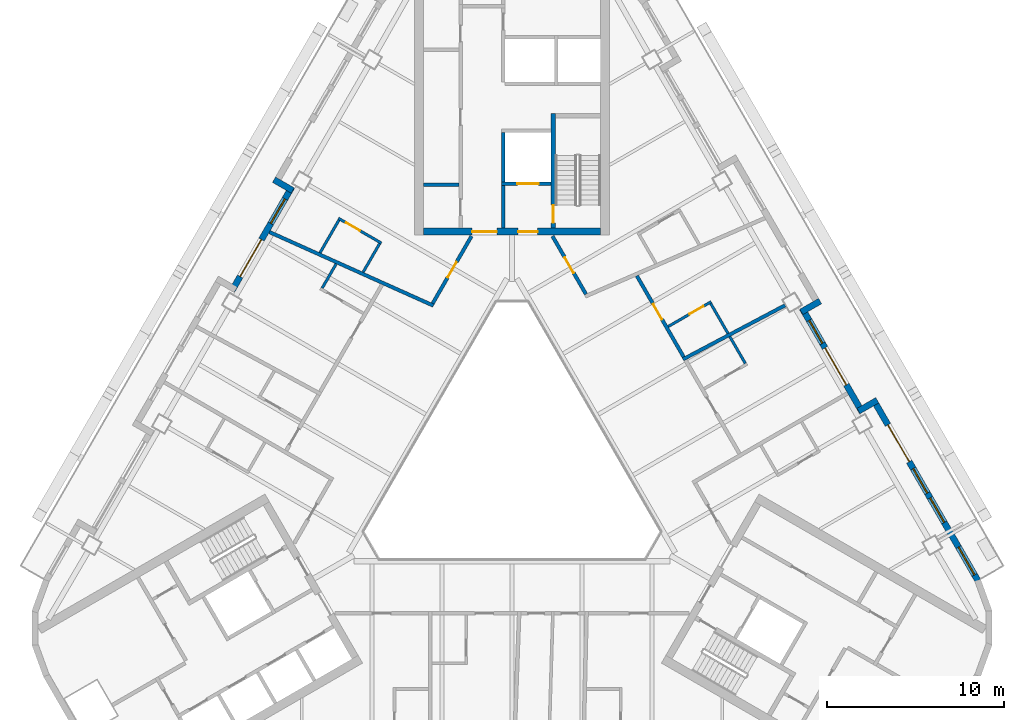
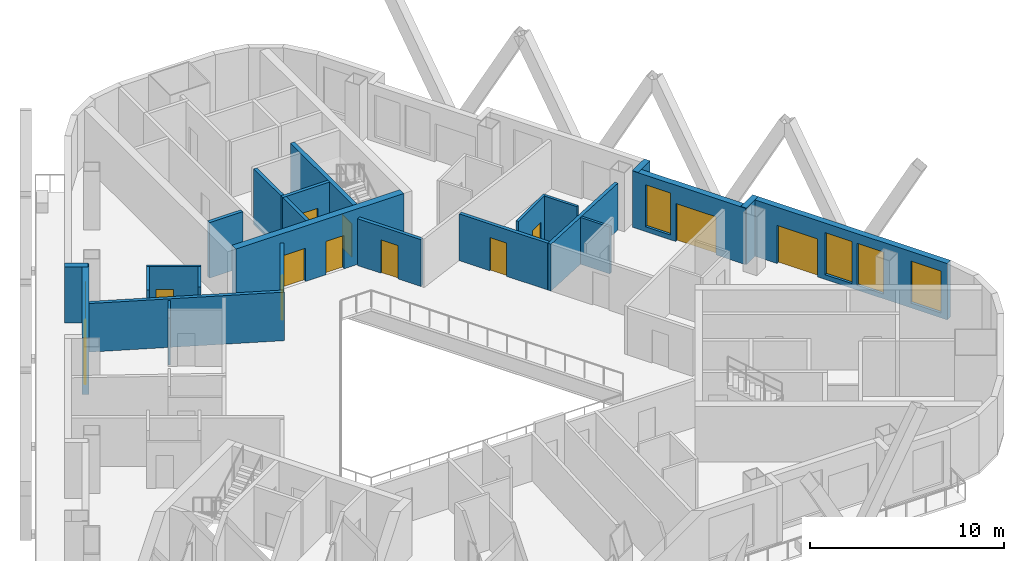
# One storey, part 6 of 14: 24 walls, 12 doors, 5 windows, 17 openings.
"""IFC4 building model written with IfcOpenShell, lengths in metres."""

from ifc_helpers import new_model, si_unit, direction, frame, frame_2d, origin, place, context, subcontext, project, spatial, rectangle, extrude, material, layer, layer_set, type_object, element, fill, save


model = new_model("IFC4")

# Units and contexts
model_context = context("Model", 3, precision=1e-05, world=origin(), true_north=direction((0.0, 1.0)))
body_context = subcontext(model_context, "Body", "Model", "MODEL_VIEW")
ifc_project = project(units=[si_unit("LENGTHUNIT", "METRE"), si_unit("AREAUNIT", "SQUARE_METRE"), si_unit("VOLUMEUNIT", "CUBIC_METRE"), si_unit("PLANEANGLEUNIT", "RADIAN"), si_unit("MASSUNIT", "GRAM", prefix="KILO")], contexts=[model_context])

# Site, building, storey
site_placement = place(None, origin())
site = spatial("IfcSite", under=ifc_project, at=site_placement, CompositionType="ELEMENT")
building_placement = place(site_placement, origin())
building = spatial("IfcBuilding", under=site, at=building_placement, Name="Apuvela Tower Hotel", CompositionType="ELEMENT")
storey_placement = place(building_placement, frame((0.0, 0.0, 154.0)))
storey = spatial("IfcBuildingStorey", under=building, at=storey_placement, Name="L36", CompositionType="ELEMENT", Elevation=154.0)

# Wall, openings, doors
ifc_material_1 = material(Name="Concrete C50/60", Category="concrete")
ifc_layer_1 = layer(ifc_material_1, 0.39990234375)
ifc_layer_set_1 = layer_set([ifc_layer_1], Name="COR-WALL-CORE-400")
wall_type_1 = type_object("IfcWallType", Name="COR-WALL-CORE-400", PredefinedType="SHEAR", material=ifc_layer_set_1)
wall_1_placement = place(storey_placement, frame((5.0, 13.10009765625, 0.0), z_axis=(0.0, 0.0, 1.0), x_axis=(-1.0, 0.0, 0.0)))
wall_1 = element("IfcWall", 1, at=wall_1_placement, inside=storey, type_object=wall_type_1, Name="Core wall N", PredefinedType="SHEAR", context=body_context, shape_type="SweptSolid", body=[
    extrude(rectangle(XDim=10.0, YDim=0.39990234375, at=frame_2d((5.0, 0.0))), origin(), (0.0, 0.0, 1.0), 3.5),
])
opening_1_placement = place(wall_1_placement, frame((3.550048828125, 0.0, 0.0)))
opening_1 = element("IfcOpeningElement", 2, at=opening_1_placement, cuts=wall_1, Name="Opening N-FD", PredefinedType="OPENING", context=body_context, shape_type="SweptSolid", body=[
    extrude(rectangle(XDim=1.10009765625, YDim=2.10009765625, at=frame_2d((0.550048828125, 1.050048828125))), frame((0.0, 0.2099609375, 0.0), z_axis=(0.0, -1.0, 0.0), x_axis=(1.0, 0.0, 0.0)), (0.0, 0.0, 1.0), 0.419921875),
])
opening_2_placement = place(wall_1_placement, frame((5.85009765625, 0.0, 0.0)))
opening_2 = element("IfcOpeningElement", 3, at=opening_2_placement, cuts=wall_1, Name="Opening N-GD", PredefinedType="OPENING", context=body_context, shape_type="SweptSolid", body=[
    extrude(rectangle(XDim=1.39990234375, YDim=2.10009765625, at=frame_2d((0.699951171875, 1.050048828125))), frame((0.0, 0.2099609375, 0.0), z_axis=(0.0, -1.0, 0.0), x_axis=(1.0, 0.0, 0.0)), (0.0, 0.0, 1.0), 0.419921875),
])
ifc_material_2 = material(Name="Steel fire door, powder coated", Category="steel")
door_type_1 = type_object("IfcDoorType", Name="COR-FD-1100", OperationType="NOTDEFINED", PredefinedType="DOOR", material=ifc_material_2)
door_1_placement = place(opening_1_placement, frame((1.10009765625, 0.0, 0.0), z_axis=(0.0, 0.0, 1.0), x_axis=(-1.0, 0.0, 0.0)))
door_1 = element("IfcDoor", 4, at=door_1_placement, inside=storey, type_object=door_type_1, Name="Firefighting lobby door N-FD", OperationType="SINGLE_SWING_LEFT", OverallHeight=2.10009765625, OverallWidth=1.10009765625, PredefinedType="DOOR", context=body_context, shape_type="SweptSolid", body=[
    extrude(rectangle(XDim=1.10009765625, YDim=2.10009765625, at=frame_2d((0.550048828125, 1.050048828125))), frame((0.0, 0.02490234375, 0.0), z_axis=(0.0, -1.0, 0.0), x_axis=(1.0, 0.0, 0.0)), (0.0, 0.0, 1.0), 0.050048828125),
])
fill(opening_1, door_1)
ifc_material_3 = material(Name="Glazed steel fire door", Category="steel")
door_type_2 = type_object("IfcDoorType", Name="COR-GD-1400", OperationType="DOUBLE_DOOR_SINGLE_SWING", PredefinedType="DOOR", material=ifc_material_3)
door_2_placement = place(opening_2_placement, frame((1.39990234375, 0.0, 0.0), z_axis=(0.0, 0.0, 1.0), x_axis=(-1.0, 0.0, 0.0)))
door_2 = element("IfcDoor", 5, at=door_2_placement, inside=storey, type_object=door_type_2, Name="Lift lobby door N-GD", OperationType="DOUBLE_DOOR_SINGLE_SWING", OverallHeight=2.10009765625, OverallWidth=1.39990234375, PredefinedType="DOOR", context=body_context, shape_type="SweptSolid", body=[
    extrude(rectangle(XDim=1.39990234375, YDim=2.10009765625, at=frame_2d((0.699951171875, 1.050048828125))), frame((0.0, 0.02490234375, 0.0), z_axis=(0.0, -1.0, 0.0), x_axis=(1.0, 0.0, 0.0)), (0.0, 0.0, 1.0), 0.050048828125),
])
fill(opening_2, door_2)

# Wall, opening, door
ifc_layer_2 = layer(ifc_material_1, 0.199951171875)
ifc_layer_set_2 = layer_set([ifc_layer_2], Name="COR-WALL-SHAFT-200")
wall_type_2 = type_object("IfcWallType", Name="COR-WALL-SHAFT-200", PredefinedType="SHEAR", material=ifc_layer_set_2)
wall_2_placement = place(storey_placement, frame((2.199951171875, 15.800048828125, 0.0), z_axis=(0.0, 0.0, 1.0), x_axis=(-1.0, 0.0, 0.0)))
wall_2 = element("IfcWall", 6, at=wall_2_placement, inside=storey, type_object=wall_type_2, Name="Shaft wall N", PredefinedType="SHEAR", context=body_context, shape_type="SweptSolid", body=[
    extrude(rectangle(XDim=2.800048828125, YDim=0.199951171875, at=frame_2d((1.39990234375, 0.0))), origin(), (0.0, 0.0, 1.0), 3.5),
])
opening_3_placement = place(wall_2_placement, frame((0.699951171875, 0.0, 0.0)))
opening_3 = element("IfcOpeningElement", 7, at=opening_3_placement, cuts=wall_2, Name="Opening N-LD-FS1", PredefinedType="OPENING", context=body_context, shape_type="SweptSolid", body=[
    extrude(rectangle(XDim=1.199951171875, YDim=2.10009765625, at=frame_2d((0.60009765625, 1.050048828125))), frame((0.0, 0.10986328125, 0.0), z_axis=(0.0, -1.0, 0.0), x_axis=(1.0, 0.0, 0.0)), (0.0, 0.0, 1.0), 0.219970703125),
])
ifc_material_4 = material(Name="Stainless steel lift landing door", Category="steel")
door_type_3 = type_object("IfcDoorType", Name="COR-LD-1200", OperationType="DOUBLE_DOOR_SLIDING", PredefinedType="DOOR", material=ifc_material_4)
door_3_placement = place(opening_3_placement, origin())
door_3 = element("IfcDoor", 8, at=door_3_placement, inside=storey, type_object=door_type_3, Name="Lift landing door N-LD-FS1", OperationType="DOUBLE_DOOR_SLIDING", OverallHeight=2.10009765625, OverallWidth=1.199951171875, PredefinedType="DOOR", context=body_context, shape_type="SweptSolid", body=[
    extrude(rectangle(XDim=1.199951171875, YDim=2.10009765625, at=frame_2d((0.60009765625, 1.050048828125))), frame((0.0, 0.02490234375, 0.0), z_axis=(0.0, -1.0, 0.0), x_axis=(1.0, 0.0, 0.0)), (0.0, 0.0, 1.0), 0.050048828125),
])
fill(opening_3, door_3)

# Walls
wall_3_placement = place(storey_placement, frame((-0.5, 15.89990234375, 0.0), z_axis=(0.0, 0.0, 1.0), x_axis=(0.0, 1.0, 0.0)))
element("IfcWall", 9, at=wall_3_placement, inside=storey, type_object=wall_type_2, Name="Shaft wall N", PredefinedType="SHEAR", context=body_context, shape_type="SweptSolid", body=[
    extrude(rectangle(XDim=2.800048828125, YDim=0.199951171875, at=frame_2d((1.39990234375, 0.0))), origin(), (0.0, 0.0, 1.0), 3.5),
])
wall_4_placement = place(storey_placement, frame((-0.5, 13.300048828125, 0.0), z_axis=(0.0, 0.0, 1.0), x_axis=(0.0, 1.0, 0.0)))
element("IfcWall", 10, at=wall_4_placement, inside=storey, type_object=wall_type_2, Name="Shaft wall N", PredefinedType="SHEAR", context=body_context, shape_type="SweptSolid", body=[
    extrude(rectangle(XDim=2.39990234375, YDim=0.199951171875, at=frame_2d((1.199951171875, 0.0))), origin(), (0.0, 0.0, 1.0), 3.5),
])
wall_5_placement = place(storey_placement, frame((-3.0, 15.739990234375, 0.0), z_axis=(0.0, 0.0, 1.0), x_axis=(-1.0, 0.0, 0.0)))
element("IfcWall", 11, at=wall_5_placement, inside=storey, type_object=wall_type_2, Name="Shaft wall N", PredefinedType="SHEAR", context=body_context, shape_type="SweptSolid", body=[
    extrude(rectangle(XDim=2.0, YDim=0.199951171875, at=frame_2d((1.0, 0.0))), origin(), (0.0, 0.0, 1.0), 3.5),
])

# Wall, opening, door
ifc_layer_3 = layer(ifc_material_1, 0.25)
ifc_layer_set_3 = layer_set([ifc_layer_3], Name="COR-WALL-STAIR-250")
wall_type_3 = type_object("IfcWallType", Name="COR-WALL-STAIR-250", PredefinedType="SHEAR", material=ifc_layer_set_3)
wall_6_placement = place(storey_placement, frame((2.324951171875, 13.300048828125, 0.0), z_axis=(0.0, 0.0, 1.0), x_axis=(0.0, 1.0, 0.0)))
wall_6 = element("IfcWall", 12, at=wall_6_placement, inside=storey, type_object=wall_type_3, Name="Stair wall N", PredefinedType="SHEAR", context=body_context, shape_type="SweptSolid", body=[
    extrude(rectangle(XDim=6.449951171875, YDim=0.25, at=frame_2d((3.22509765625, 0.0))), origin(), (0.0, 0.0, 1.0), 3.5),
])
opening_4_placement = place(wall_6_placement, frame((0.300048828125, 0.0, 0.0)))
opening_4 = element("IfcOpeningElement", 13, at=opening_4_placement, cuts=wall_6, Name="Opening N-SD", PredefinedType="OPENING", context=body_context, shape_type="SweptSolid", body=[
    extrude(rectangle(XDim=1.0, YDim=2.10009765625, at=frame_2d((0.5, 1.050048828125))), frame((0.0, 0.135009765625, 0.0), z_axis=(0.0, -1.0, 0.0), x_axis=(1.0, 0.0, 0.0)), (0.0, 0.0, 1.0), 0.27001953125),
])
door_type_4 = type_object("IfcDoorType", Name="COR-SD-1000", OperationType="NOTDEFINED", PredefinedType="DOOR", material=ifc_material_2)
door_4_placement = place(opening_4_placement, frame((1.0, 0.0, 0.0), z_axis=(0.0, 0.0, 1.0), x_axis=(-1.0, 0.0, 0.0)))
door_4 = element("IfcDoor", 14, at=door_4_placement, inside=storey, type_object=door_type_4, Name="Stair door N-SD", OperationType="SINGLE_SWING_LEFT", OverallHeight=2.10009765625, OverallWidth=1.0, PredefinedType="DOOR", context=body_context, shape_type="SweptSolid", body=[
    extrude(rectangle(XDim=1.0, YDim=2.10009765625, at=frame_2d((0.5, 1.050048828125))), frame((0.0, 0.02490234375, 0.0), z_axis=(0.0, -1.0, 0.0), x_axis=(1.0, 0.0, 0.0)), (0.0, 0.0, 1.0), 0.050048828125),
])
fill(opening_4, door_4)

# Wall
ifc_material_5 = material(Name="Concrete C40/50, dark pigmented precast panel", Category="concrete")
ifc_layer_4 = layer(ifc_material_5, 0.35009765625)
ifc_layer_set_4 = layer_set([ifc_layer_4], Name="ENV-WALL-350")
wall_type_4 = type_object("IfcWallType", Name="ENV-WALL-350", PredefinedType="SOLIDWALL", material=ifc_layer_set_4)
wall_7_placement = place(storey_placement, frame((-13.41259765625, 16.02880859375, 0.0), z_axis=(0.0, 0.0, 1.0), x_axis=(0.866005645448, -0.500034220881, 0.0)))
element("IfcWall", 15, at=wall_7_placement, inside=storey, type_object=wall_type_4, Name="External wall L36-02", PredefinedType="SOLIDWALL", context=body_context, shape_type="SweptSolid", body=[
    extrude(rectangle(XDim=1.22021484375, YDim=0.35009765625, at=frame_2d((0.610107421875, 0.0))), origin(), (0.0, 0.0, 1.0), 3.550048828125),
])

# Wall, openings, door, window
wall_8_placement = place(storey_placement, frame((-12.408935546875, 15.616943359375, 0.0), z_axis=(0.0, 0.0, 1.0), x_axis=(-0.500003597184, -0.866023326939, 0.0)))
wall_8 = element("IfcWall", 16, at=wall_8_placement, inside=storey, type_object=wall_type_4, Name="External wall L36-03", PredefinedType="SOLIDWALL", context=body_context, shape_type="SweptSolid", body=[
    extrude(rectangle(XDim=6.740234375, YDim=0.35009765625, at=frame_2d((3.3701171875, 0.0))), origin(), (0.0, 0.0, 1.0), 3.550048828125),
])
opening_5_placement = place(wall_8_placement, frame((0.77001953125, 0.0, 0.300048828125)))
opening_5 = element("IfcOpeningElement", 17, at=opening_5_placement, cuts=wall_8, Name="Opening WN16", PredefinedType="OPENING", context=body_context, shape_type="SweptSolid", body=[
    extrude(rectangle(XDim=1.60009765625, YDim=2.64990234375, at=frame_2d((0.800048828125, 1.324951171875))), frame((0.0, 0.18505859375, 0.0), z_axis=(0.0, -1.0, 0.0), x_axis=(1.0, 0.0, 0.0)), (0.0, 0.0, 1.0), 0.3701171875),
])
opening_6_placement = place(wall_8_placement, frame((3.423828125, 0.0, 0.0)))
opening_6 = element("IfcOpeningElement", 18, at=opening_6_placement, cuts=wall_8, Name="Opening BD24", PredefinedType="OPENING", context=body_context, shape_type="SweptSolid", body=[
    extrude(rectangle(XDim=2.39990234375, YDim=2.39990234375, at=frame_2d((1.199951171875, 1.199951171875))), frame((0.0, 0.18505859375, 0.0), z_axis=(0.0, -1.0, 0.0), x_axis=(1.0, 0.0, 0.0)), (0.0, 0.0, 1.0), 0.3701171875),
])
ifc_material_6 = material(Name="Aluminium 6063-T6, dark bronze anodised frame with dark tinted laminated glass", Category="aluminium")
door_type_5 = type_object("IfcDoorType", Name="ENV-DOOR-BALCONY-2400x2400", OperationType="SLIDING_TO_LEFT", PredefinedType="DOOR", material=ifc_material_6)
door_5_placement = place(opening_6_placement, frame((2.39990234375, 0.0, 0.0), z_axis=(0.0, 0.0, 1.0), x_axis=(-1.0, 0.0, 0.0)))
door_5 = element("IfcDoor", 19, at=door_5_placement, inside=storey, type_object=door_type_5, Name="Balcony door BD24", OperationType="SLIDING_TO_LEFT", OverallHeight=2.39990234375, OverallWidth=2.39990234375, PredefinedType="DOOR", context=body_context, shape_type="SweptSolid", body=[
    extrude(rectangle(XDim=2.39990234375, YDim=2.39990234375, at=frame_2d((1.199951171875, 1.199951171875))), frame((0.0, 0.02490234375, 0.0), z_axis=(0.0, -1.0, 0.0), x_axis=(1.0, 0.0, 0.0)), (0.0, 0.0, 1.0), 0.050048828125),
])
fill(opening_6, door_5)
ifc_material_7 = material(Name="Glass, dark tinted laminated insulated glazing unit", Category="glass")
window_type_1 = type_object("IfcWindowType", Name="ENV-WIN-1600x2650", PartitioningType="SINGLE_PANEL", PredefinedType="WINDOW", material=ifc_material_7)
window_1_placement = place(opening_5_placement, origin())
window_1 = element("IfcWindow", 20, at=window_1_placement, inside=storey, type_object=window_type_1, Name="Window WN16", OverallHeight=2.64990234375, OverallWidth=1.60009765625, PartitioningType="SINGLE_PANEL", PredefinedType="WINDOW", context=body_context, shape_type="SweptSolid", body=[
    extrude(rectangle(XDim=1.60009765625, YDim=2.64990234375, at=frame_2d((0.800048828125, 1.324951171875))), frame((0.0, 0.030029296875, 0.0), z_axis=(0.0, -1.0, 0.0), x_axis=(1.0, 0.0, 0.0)), (0.0, 0.0, 1.0), 0.06005859375),
])
fill(opening_5, window_1)

# Wall, openings, door, windows
wall_9_placement = place(storey_placement, frame((26.256591796875, -6.5673828125, 0.0), z_axis=(0.0, 0.0, 1.0), x_axis=(-0.500023526245, 0.866011820475, 0.0)))
wall_9 = element("IfcWall", 21, at=wall_9_placement, inside=storey, type_object=wall_type_4, Name="External wall L36-33", PredefinedType="SOLIDWALL", context=body_context, shape_type="SweptSolid", body=[
    extrude(rectangle(XDim=11.81591796875, YDim=0.35009765625, at=frame_2d((5.907958984375, 0.0))), origin(), (0.0, 0.0, 1.0), 3.550048828125),
])
opening_7_placement = place(wall_9_placement, frame((0.380126953125, 0.0, 0.300048828125)))
opening_7 = element("IfcOpeningElement", 22, at=opening_7_placement, cuts=wall_9, Name="Opening WN18", PredefinedType="OPENING", context=body_context, shape_type="SweptSolid", body=[
    extrude(rectangle(XDim=1.800048828125, YDim=2.64990234375, at=frame_2d((0.89990234375, 1.324951171875))), frame((0.0, 0.18505859375, 0.0), z_axis=(0.0, -1.0, 0.0), x_axis=(1.0, 0.0, 0.0)), (0.0, 0.0, 1.0), 0.3701171875),
])
opening_8_placement = place(wall_9_placement, frame((7.7412109375, 0.0, 0.0)))
opening_8 = element("IfcOpeningElement", 23, at=opening_8_placement, cuts=wall_9, Name="Opening BD24", PredefinedType="OPENING", context=body_context, shape_type="SweptSolid", body=[
    extrude(rectangle(XDim=2.39990234375, YDim=2.39990234375, at=frame_2d((1.199951171875, 1.199951171875))), frame((0.0, 0.18505859375, 0.0), z_axis=(0.0, -1.0, 0.0), x_axis=(1.0, 0.0, 0.0)), (0.0, 0.0, 1.0), 0.3701171875),
])
opening_9_placement = place(wall_9_placement, frame((3.791015625, 0.0, 0.300048828125)))
opening_9 = element("IfcOpeningElement", 24, at=opening_9_placement, cuts=wall_9, Name="Opening WN16", PredefinedType="OPENING", context=body_context, shape_type="SweptSolid", body=[
    extrude(rectangle(XDim=1.60009765625, YDim=2.64990234375, at=frame_2d((0.800048828125, 1.324951171875))), frame((0.0, 0.18505859375, 0.0), z_axis=(0.0, -1.0, 0.0), x_axis=(1.0, 0.0, 0.0)), (0.0, 0.0, 1.0), 0.3701171875),
])
opening_10_placement = place(wall_9_placement, frame((5.69091796875, 0.0, 0.300048828125)))
opening_10 = element("IfcOpeningElement", 25, at=opening_10_placement, cuts=wall_9, Name="Opening WN16", PredefinedType="OPENING", context=body_context, shape_type="SweptSolid", body=[
    extrude(rectangle(XDim=1.60009765625, YDim=2.64990234375, at=frame_2d((0.800048828125, 1.324951171875))), frame((0.0, 0.18505859375, 0.0), z_axis=(0.0, -1.0, 0.0), x_axis=(1.0, 0.0, 0.0)), (0.0, 0.0, 1.0), 0.3701171875),
])
door_6_placement = place(opening_8_placement, frame((2.39990234375, 0.0, 0.0), z_axis=(0.0, 0.0, 1.0), x_axis=(-1.0, 0.0, 0.0)))
door_6 = element("IfcDoor", 26, at=door_6_placement, inside=storey, type_object=door_type_5, Name="Balcony door BD24", OperationType="SLIDING_TO_LEFT", OverallHeight=2.39990234375, OverallWidth=2.39990234375, PredefinedType="DOOR", context=body_context, shape_type="SweptSolid", body=[
    extrude(rectangle(XDim=2.39990234375, YDim=2.39990234375, at=frame_2d((1.199951171875, 1.199951171875))), frame((0.0, 0.02490234375, 0.0), z_axis=(0.0, -1.0, 0.0), x_axis=(1.0, 0.0, 0.0)), (0.0, 0.0, 1.0), 0.050048828125),
])
fill(opening_8, door_6)
window_2_placement = place(opening_9_placement, origin())
window_2 = element("IfcWindow", 27, at=window_2_placement, inside=storey, type_object=window_type_1, Name="Window WN16", OverallHeight=2.64990234375, OverallWidth=1.60009765625, PartitioningType="SINGLE_PANEL", PredefinedType="WINDOW", context=body_context, shape_type="SweptSolid", body=[
    extrude(rectangle(XDim=1.60009765625, YDim=2.64990234375, at=frame_2d((0.800048828125, 1.324951171875))), frame((0.0, 0.030029296875, 0.0), z_axis=(0.0, -1.0, 0.0), x_axis=(1.0, 0.0, 0.0)), (0.0, 0.0, 1.0), 0.06005859375),
])
fill(opening_9, window_2)
window_3_placement = place(opening_10_placement, origin())
window_3 = element("IfcWindow", 28, at=window_3_placement, inside=storey, type_object=window_type_1, Name="Window WN16", OverallHeight=2.64990234375, OverallWidth=1.60009765625, PartitioningType="SINGLE_PANEL", PredefinedType="WINDOW", context=body_context, shape_type="SweptSolid", body=[
    extrude(rectangle(XDim=1.60009765625, YDim=2.64990234375, at=frame_2d((0.800048828125, 1.324951171875))), frame((0.0, 0.030029296875, 0.0), z_axis=(0.0, -1.0, 0.0), x_axis=(1.0, 0.0, 0.0)), (0.0, 0.0, 1.0), 0.06005859375),
])
fill(opening_10, window_3)
window_type_2 = type_object("IfcWindowType", Name="ENV-WIN-1800x2650", PartitioningType="SINGLE_PANEL", PredefinedType="WINDOW", material=ifc_material_7)
window_4_placement = place(opening_7_placement, origin())
window_4 = element("IfcWindow", 29, at=window_4_placement, inside=storey, type_object=window_type_2, Name="Window WN18", OverallHeight=2.64990234375, OverallWidth=1.800048828125, PartitioningType="SINGLE_PANEL", PredefinedType="WINDOW", context=body_context, shape_type="SweptSolid", body=[
    extrude(rectangle(XDim=1.800048828125, YDim=2.64990234375, at=frame_2d((0.89990234375, 1.324951171875))), frame((0.0, 0.030029296875, 0.0), z_axis=(0.0, -1.0, 0.0), x_axis=(1.0, 0.0, 0.0)), (0.0, 0.0, 1.0), 0.06005859375),
])
fill(opening_7, window_4)

# Wall
wall_10_placement = place(storey_placement, frame((20.587646484375, 3.601318359375, 0.0), z_axis=(0.0, 0.0, 1.0), x_axis=(-0.866005645448, -0.500034220881, 0.0)))
element("IfcWall", 30, at=wall_10_placement, inside=storey, type_object=wall_type_4, Name="External wall L36-34", PredefinedType="SOLIDWALL", context=body_context, shape_type="SweptSolid", body=[
    extrude(rectangle(XDim=1.22021484375, YDim=0.35009765625, at=frame_2d((0.610107421875, 0.0))), origin(), (0.0, 0.0, 1.0), 3.550048828125),
])

# Wall, openings, door, window
wall_11_placement = place(storey_placement, frame((19.72900390625, 2.93798828125, 0.0), z_axis=(0.0, 0.0, 1.0), x_axis=(-0.499976430342, 0.866039011305, 0.0)))
wall_11 = element("IfcWall", 31, at=wall_11_placement, inside=storey, type_object=wall_type_4, Name="External wall L36-35", PredefinedType="SOLIDWALL", context=body_context, shape_type="SweptSolid", body=[
    extrude(rectangle(XDim=6.739990234375, YDim=0.35009765625, at=frame_2d((3.3701171875, 0.0))), origin(), (0.0, 0.0, 1.0), 3.550048828125),
])
opening_11_placement = place(wall_11_placement, frame((1.77001953125, 0.0, 0.0)))
opening_11 = element("IfcOpeningElement", 32, at=opening_11_placement, cuts=wall_11, Name="Opening BD24", PredefinedType="OPENING", context=body_context, shape_type="SweptSolid", body=[
    extrude(rectangle(XDim=2.39990234375, YDim=2.39990234375, at=frame_2d((1.199951171875, 1.199951171875))), frame((0.0, 0.18505859375, 0.0), z_axis=(0.0, -1.0, 0.0), x_axis=(1.0, 0.0, 0.0)), (0.0, 0.0, 1.0), 0.3701171875),
])
opening_12_placement = place(wall_11_placement, frame((4.469970703125, 0.0, 0.300048828125)))
opening_12 = element("IfcOpeningElement", 33, at=opening_12_placement, cuts=wall_11, Name="Opening WN15", PredefinedType="OPENING", context=body_context, shape_type="SweptSolid", body=[
    extrude(rectangle(XDim=1.5, YDim=2.64990234375, at=frame_2d((0.75, 1.324951171875))), frame((0.0, 0.18505859375, 0.0), z_axis=(0.0, -1.0, 0.0), x_axis=(1.0, 0.0, 0.0)), (0.0, 0.0, 1.0), 0.3701171875),
])
door_7_placement = place(opening_11_placement, frame((2.39990234375, 0.0, 0.0), z_axis=(0.0, 0.0, 1.0), x_axis=(-1.0, 0.0, 0.0)))
door_7 = element("IfcDoor", 34, at=door_7_placement, inside=storey, type_object=door_type_5, Name="Balcony door BD24", OperationType="SLIDING_TO_LEFT", OverallHeight=2.39990234375, OverallWidth=2.39990234375, PredefinedType="DOOR", context=body_context, shape_type="SweptSolid", body=[
    extrude(rectangle(XDim=2.39990234375, YDim=2.39990234375, at=frame_2d((1.199951171875, 1.199951171875))), frame((0.0, 0.02490234375, 0.0), z_axis=(0.0, -1.0, 0.0), x_axis=(1.0, 0.0, 0.0)), (0.0, 0.0, 1.0), 0.050048828125),
])
fill(opening_11, door_7)
window_type_3 = type_object("IfcWindowType", Name="ENV-WIN-1500x2650", PartitioningType="SINGLE_PANEL", PredefinedType="WINDOW", material=ifc_material_7)
window_5_placement = place(opening_12_placement, origin())
window_5 = element("IfcWindow", 35, at=window_5_placement, inside=storey, type_object=window_type_3, Name="Window WN15", OverallHeight=2.64990234375, OverallWidth=1.5, PartitioningType="SINGLE_PANEL", PredefinedType="WINDOW", context=body_context, shape_type="SweptSolid", body=[
    extrude(rectangle(XDim=1.5, YDim=2.64990234375, at=frame_2d((0.75, 1.324951171875))), frame((0.0, 0.030029296875, 0.0), z_axis=(0.0, -1.0, 0.0), x_axis=(1.0, 0.0, 0.0)), (0.0, 0.0, 1.0), 0.06005859375),
])
fill(opening_12, window_5)

# Walls
wall_12_placement = place(storey_placement, frame((16.305908203125, 8.5771484375, 0.0), z_axis=(0.0, 0.0, 1.0), x_axis=(0.866092288191, 0.499884134912, 0.0)))
element("IfcWall", 36, at=wall_12_placement, inside=storey, type_object=wall_type_4, Name="External wall L36-36", PredefinedType="SOLIDWALL", context=body_context, shape_type="SweptSolid", body=[
    extrude(rectangle(XDim=1.219970703125, YDim=0.35009765625, at=frame_2d((0.60986328125, 0.0))), origin(), (0.0, 0.0, 1.0), 3.550048828125),
])
ifc_material_8 = material(Name="Gypsum board partition on twin steel stud", Category="steel")
ifc_layer_5 = layer(ifc_material_8, 0.199951171875)
ifc_layer_set_5 = layer_set([ifc_layer_5], Name="GST-PW1")
wall_type_5 = type_object("IfcWallType", Name="GST-PW1", PredefinedType="PARTITIONING", material=ifc_layer_set_5)
wall_13_placement = place(storey_placement, frame((15.39208984375, 8.949951171875, 0.0), z_axis=(0.0, 0.0, 1.0), x_axis=(-0.883969397176, -0.467544762408, 0.0)))
element("IfcWall", 37, at=wall_13_placement, inside=storey, type_object=wall_type_5, Name="L36 partition 05", PredefinedType="PARTITIONING", context=body_context, shape_type="SweptSolid", body=[
    extrude(rectangle(XDim=6.509521484375, YDim=0.199951171875, at=frame_2d((3.2548828125, 0.0))), origin(), (0.0, 0.0, 1.0), 2.949951171875),
])
wall_14_placement = place(storey_placement, frame((-13.671630859375, 13.080078125, 0.0), z_axis=(0.0, 0.0, 1.0), x_axis=(0.912311972773, -0.409495866077, 0.0)))
element("IfcWall", 38, at=wall_14_placement, inside=storey, type_object=wall_type_5, Name="L36 partition 07", PredefinedType="PARTITIONING", context=body_context, shape_type="SweptSolid", body=[
    extrude(rectangle(XDim=10.13232421875, YDim=0.199951171875, at=frame_2d((5.066162109375, 0.0))), origin(), (0.0, 0.0, 1.0), 3.06005859375),
])

# Wall, opening, door
ifc_material_9 = material(Name="Gypsum board corridor wall on twin steel stud, acoustic", Category="steel")
ifc_layer_6 = layer(ifc_material_9, 0.199951171875)
ifc_layer_set_6 = layer_set([ifc_layer_6], Name="GST-PW2")
wall_type_6 = type_object("IfcWallType", Name="GST-PW2", PredefinedType="PARTITIONING", material=ifc_layer_set_6)
wall_15_placement = place(storey_placement, frame((7.037109375, 10.611328125, 0.0), z_axis=(0.0, 0.0, 1.0), x_axis=(0.500004030971, -0.86602307649, 0.0)))
wall_15 = element("IfcWall", 39, at=wall_15_placement, inside=storey, type_object=wall_type_6, Name="L36 partition 31", PredefinedType="PARTITIONING", context=body_context, shape_type="SweptSolid", body=[
    extrude(rectangle(XDim=5.27880859375, YDim=0.199951171875, at=frame_2d((2.639404296875, 0.0))), origin(), (0.0, 0.0, 1.0), 2.949951171875),
])
opening_13_placement = place(wall_15_placement, frame((1.83251953125, 0.0, 0.0)))
opening_13 = element("IfcOpeningElement", 40, at=opening_13_placement, cuts=wall_15, Name="Opening GD13-14", PredefinedType="OPENING", context=body_context, shape_type="SweptSolid", body=[
    extrude(rectangle(XDim=1.0, YDim=2.10009765625, at=frame_2d((0.5, 1.050048828125))), frame((0.0, 0.10986328125, 0.0), z_axis=(0.0, -1.0, 0.0), x_axis=(1.0, 0.0, 0.0)), (0.0, 0.0, 1.0), 0.219970703125),
])
ifc_material_10 = material(Name="Timber door leaf in steel frame", Category="steel")
door_type_6 = type_object("IfcDoorType", Name="GST-D1", OperationType="NOTDEFINED", PredefinedType="DOOR", material=ifc_material_10)
door_8_placement = place(opening_13_placement, origin())
door_8 = element("IfcDoor", 41, at=door_8_placement, inside=storey, type_object=door_type_6, Name="Door L36-14", OperationType="SINGLE_SWING_LEFT", OverallHeight=2.10009765625, OverallWidth=1.0, PredefinedType="DOOR", context=body_context, shape_type="SweptSolid", body=[
    extrude(rectangle(XDim=1.0, YDim=2.10009765625, at=frame_2d((0.5, 1.050048828125))), frame((0.0, 0.02490234375, 0.0), z_axis=(0.0, -1.0, 0.0), x_axis=(1.0, 0.0, 0.0)), (0.0, 0.0, 1.0), 0.050048828125),
])
fill(opening_13, door_8)

wall_16_placement = place(storey_placement, frame((2.280517578125, 12.85009765625, 0.0), z_axis=(0.0, 0.0, 1.0), x_axis=(0.499991068497, -0.866030560329, 0.0)))
wall_16 = element("IfcWall", 42, at=wall_16_placement, inside=storey, type_object=wall_type_6, Name="L36 partition 34", PredefinedType="PARTITIONING", context=body_context, shape_type="SweptSolid", body=[
    extrude(rectangle(XDim=3.7763671875, YDim=0.199951171875, at=frame_2d((1.88818359375, 0.0))), origin(), (0.0, 0.0, 1.0), 2.949951171875),
])
opening_14_placement = place(wall_16_placement, frame((1.38818359375, 0.0, 0.0)))
opening_14 = element("IfcOpeningElement", 43, at=opening_14_placement, cuts=wall_16, Name="Opening GD13-16", PredefinedType="OPENING", context=body_context, shape_type="SweptSolid", body=[
    extrude(rectangle(XDim=1.0, YDim=2.10009765625, at=frame_2d((0.5, 1.050048828125))), frame((0.0, 0.10986328125, 0.0), z_axis=(0.0, -1.0, 0.0), x_axis=(1.0, 0.0, 0.0)), (0.0, 0.0, 1.0), 0.219970703125),
])
door_9_placement = place(opening_14_placement, origin())
door_9 = element("IfcDoor", 44, at=door_9_placement, inside=storey, type_object=door_type_6, Name="Door L36-16", OperationType="SINGLE_SWING_RIGHT", OverallHeight=2.10009765625, OverallWidth=1.0, PredefinedType="DOOR", context=body_context, shape_type="SweptSolid", body=[
    extrude(rectangle(XDim=1.0, YDim=2.10009765625, at=frame_2d((0.5, 1.050048828125))), frame((0.0, 0.02490234375, 0.0), z_axis=(0.0, -1.0, 0.0), x_axis=(1.0, 0.0, 0.0)), (0.0, 0.0, 1.0), 0.050048828125),
])
fill(opening_14, door_9)

wall_17_placement = place(storey_placement, frame((-4.46923828125, 9.05908203125, 0.0), z_axis=(0.0, 0.0, 1.0), x_axis=(0.499996027077, 0.86602769754, 0.0)))
wall_17 = element("IfcWall", 45, at=wall_17_placement, inside=storey, type_object=wall_type_6, Name="L36 partition 38", PredefinedType="PARTITIONING", context=body_context, shape_type="SweptSolid", body=[
    extrude(rectangle(XDim=4.37744140625, YDim=0.199951171875, at=frame_2d((2.188720703125, 0.0))), origin(), (0.0, 0.0, 1.0), 2.949951171875),
])
opening_15_placement = place(wall_17_placement, frame((1.688720703125, 0.0, 0.0)))
opening_15 = element("IfcOpeningElement", 46, at=opening_15_placement, cuts=wall_17, Name="Opening GD13-18", PredefinedType="OPENING", context=body_context, shape_type="SweptSolid", body=[
    extrude(rectangle(XDim=1.0, YDim=2.10009765625, at=frame_2d((0.5, 1.050048828125))), frame((0.0, 0.10986328125, 0.0), z_axis=(0.0, -1.0, 0.0), x_axis=(1.0, 0.0, 0.0)), (0.0, 0.0, 1.0), 0.219970703125),
])
door_10_placement = place(opening_15_placement, origin())
door_10 = element("IfcDoor", 47, at=door_10_placement, inside=storey, type_object=door_type_6, Name="Door L36-18", OperationType="SINGLE_SWING_LEFT", OverallHeight=2.10009765625, OverallWidth=1.0, PredefinedType="DOOR", context=body_context, shape_type="SweptSolid", body=[
    extrude(rectangle(XDim=1.0, YDim=2.10009765625, at=frame_2d((0.5, 1.050048828125))), frame((0.0, 0.02490234375, 0.0), z_axis=(0.0, -1.0, 0.0), x_axis=(1.0, 0.0, 0.0)), (0.0, 0.0, 1.0), 0.050048828125),
])
fill(opening_15, door_10)

# Wall
ifc_material_11 = material(Name="Moisture-resistant gypsum board wet wall on steel stud", Category="steel")
ifc_layer_7 = layer(ifc_material_11, 0.14990234375)
ifc_layer_set_7 = layer_set([ifc_layer_7], Name="GST-PW3")
wall_type_7 = type_object("IfcWallType", Name="GST-PW3", PredefinedType="PARTITIONING", material=ifc_layer_set_7)
wall_18_placement = place(storey_placement, frame((13.14990234375, 5.673583984375, 0.0), z_axis=(0.0, 0.0, 1.0), x_axis=(-0.500012451049, 0.866018215049, 0.0)))
element("IfcWall", 48, at=wall_18_placement, inside=storey, type_object=wall_type_7, Name="L36 partition 30", PredefinedType="PARTITIONING", context=body_context, shape_type="SweptSolid", body=[
    extrude(rectangle(XDim=1.7490234375, YDim=0.14990234375, at=frame_2d((0.87451171875, 0.0))), origin(), (0.0, 0.0, 1.0), 2.949951171875),
])

# Wall, opening, door
wall_19_placement = place(storey_placement, frame((11.227294921875, 9.15380859375, 0.0), z_axis=(0.0, 0.0, 1.0), x_axis=(-0.866034573852, -0.49998411664, 0.0)))
wall_19 = element("IfcWall", 49, at=wall_19_placement, inside=storey, type_object=wall_type_7, Name="L36 partition 32", PredefinedType="PARTITIONING", context=body_context, shape_type="SweptSolid", body=[
    extrude(rectangle(XDim=2.7998046875, YDim=0.14990234375, at=frame_2d((1.39990234375, 0.0))), origin(), (0.0, 0.0, 1.0), 3.550048828125),
])
opening_16_placement = place(wall_19_placement, frame((0.5, 0.0, 0.0)))
opening_16 = element("IfcOpeningElement", 50, at=opening_16_placement, cuts=wall_19, Name="Opening GD13-13", PredefinedType="OPENING", context=body_context, shape_type="SweptSolid", body=[
    extrude(rectangle(XDim=0.89990234375, YDim=2.10009765625, at=frame_2d((0.449951171875, 1.050048828125))), frame((0.0, 0.0849609375, 0.0), z_axis=(0.0, -1.0, 0.0), x_axis=(1.0, 0.0, 0.0)), (0.0, 0.0, 1.0), 0.169921875),
])
door_type_7 = type_object("IfcDoorType", Name="GST-D2", OperationType="NOTDEFINED", PredefinedType="DOOR", material=ifc_material_10)
door_11_placement = place(opening_16_placement, origin())
door_11 = element("IfcDoor", 51, at=door_11_placement, inside=storey, type_object=door_type_7, Name="Door L36-13", OperationType="SINGLE_SWING_LEFT", OverallHeight=2.10009765625, OverallWidth=0.89990234375, PredefinedType="DOOR", context=body_context, shape_type="SweptSolid", body=[
    extrude(rectangle(XDim=0.89990234375, YDim=2.10009765625, at=frame_2d((0.449951171875, 1.050048828125))), frame((0.0, 0.02490234375, 0.0), z_axis=(0.0, -1.0, 0.0), x_axis=(1.0, 0.0, 0.0)), (0.0, 0.0, 1.0), 0.050048828125),
])
fill(opening_16, door_11)

# Wall
wall_20_placement = place(storey_placement, frame((12.17529296875, 7.361572265625, 0.0), z_axis=(0.0, 0.0, 1.0), x_axis=(-0.500014901547, 0.866016800201, 0.0)))
element("IfcWall", 52, at=wall_20_placement, inside=storey, type_object=wall_type_7, Name="L36 partition 33", PredefinedType="PARTITIONING", context=body_context, shape_type="SweptSolid", body=[
    extrude(rectangle(XDim=1.951171875, YDim=0.14990234375, at=frame_2d((0.9755859375, 0.0))), origin(), (0.0, 0.0, 1.0), 3.550048828125),
])

# Wall, opening, door
wall_21_placement = place(storey_placement, frame((-7.3583984375, 12.455078125, 0.0), z_axis=(0.0, 0.0, 1.0), x_axis=(-0.866034573852, 0.49998411664, 0.0)))
wall_21 = element("IfcWall", 53, at=wall_21_placement, inside=storey, type_object=wall_type_7, Name="L36 partition 39", PredefinedType="PARTITIONING", context=body_context, shape_type="SweptSolid", body=[
    extrude(rectangle(XDim=2.7998046875, YDim=0.14990234375, at=frame_2d((1.39990234375, 0.0))), origin(), (0.0, 0.0, 1.0), 3.550048828125),
])
opening_17_placement = place(wall_21_placement, frame((1.39990234375, 0.0, 0.0)))
opening_17 = element("IfcOpeningElement", 54, at=opening_17_placement, cuts=wall_21, Name="Opening GD13-17", PredefinedType="OPENING", context=body_context, shape_type="SweptSolid", body=[
    extrude(rectangle(XDim=0.89990234375, YDim=2.10009765625, at=frame_2d((0.449951171875, 1.050048828125))), frame((0.0, 0.0849609375, 0.0), z_axis=(0.0, -1.0, 0.0), x_axis=(1.0, 0.0, 0.0)), (0.0, 0.0, 1.0), 0.169921875),
])
door_12_placement = place(opening_17_placement, origin())
door_12 = element("IfcDoor", 55, at=door_12_placement, inside=storey, type_object=door_type_7, Name="Door L36-17", OperationType="SINGLE_SWING_RIGHT", OverallHeight=2.10009765625, OverallWidth=0.89990234375, PredefinedType="DOOR", context=body_context, shape_type="SweptSolid", body=[
    extrude(rectangle(XDim=0.89990234375, YDim=2.10009765625, at=frame_2d((0.449951171875, 1.050048828125))), frame((0.0, 0.02490234375, 0.0), z_axis=(0.0, -1.0, 0.0), x_axis=(1.0, 0.0, 0.0)), (0.0, 0.0, 1.0), 0.050048828125),
])
fill(opening_17, door_12)

# Walls
wall_22_placement = place(storey_placement, frame((-9.755859375, 13.75244140625, 0.0), z_axis=(0.0, 0.0, 1.0), x_axis=(-0.50001378257, -0.866017446268, 0.0)))
element("IfcWall", 56, at=wall_22_placement, inside=storey, type_object=wall_type_7, Name="L36 partition 40", PredefinedType="PARTITIONING", context=body_context, shape_type="SweptSolid", body=[
    extrude(rectangle(XDim=2.1279296875, YDim=0.14990234375, at=frame_2d((1.06396484375, 0.0))), origin(), (0.0, 0.0, 1.0), 3.550048828125),
])
wall_23_placement = place(storey_placement, frame((-7.460693359375, 12.427490234375, 0.0), z_axis=(0.0, 0.0, 1.0), x_axis=(-0.500025795397, -0.866010510293, 0.0)))
element("IfcWall", 57, at=wall_23_placement, inside=storey, type_object=wall_type_7, Name="L36 partition 41", PredefinedType="PARTITIONING", context=body_context, shape_type="SweptSolid", body=[
    extrude(rectangle(XDim=1.85791015625, YDim=0.14990234375, at=frame_2d((0.928955078125, 0.0))), origin(), (0.0, 0.0, 1.0), 3.550048828125),
])
wall_24_placement = place(storey_placement, frame((-9.91162109375, 11.28271484375, 0.0), z_axis=(0.0, 0.0, 1.0), x_axis=(-0.499964459118, -0.86604592235, 0.0)))
element("IfcWall", 58, at=wall_24_placement, inside=storey, type_object=wall_type_7, Name="L36 partition 44", PredefinedType="PARTITIONING", context=body_context, shape_type="SweptSolid", body=[
    extrude(rectangle(XDim=1.57177734375, YDim=0.14990234375, at=frame_2d((0.785888671875, 0.0))), origin(), (0.0, 0.0, 1.0), 2.949951171875),
])

save(model, "model.ifc")
